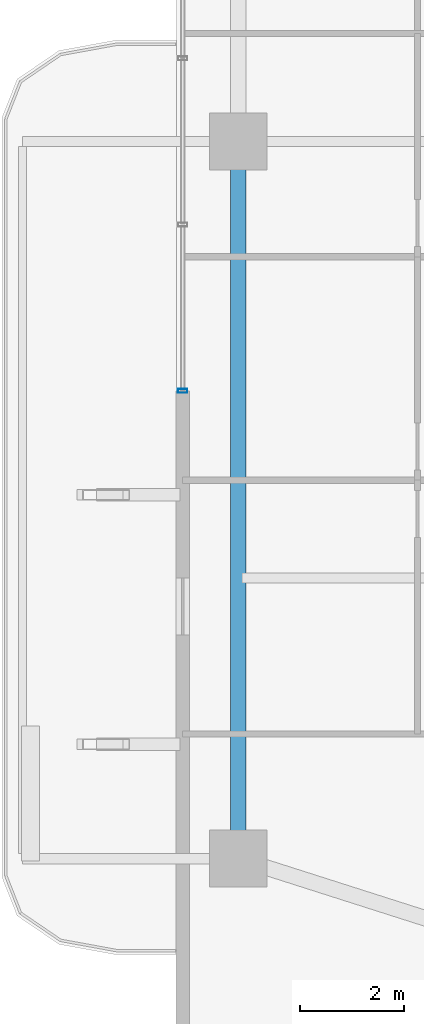
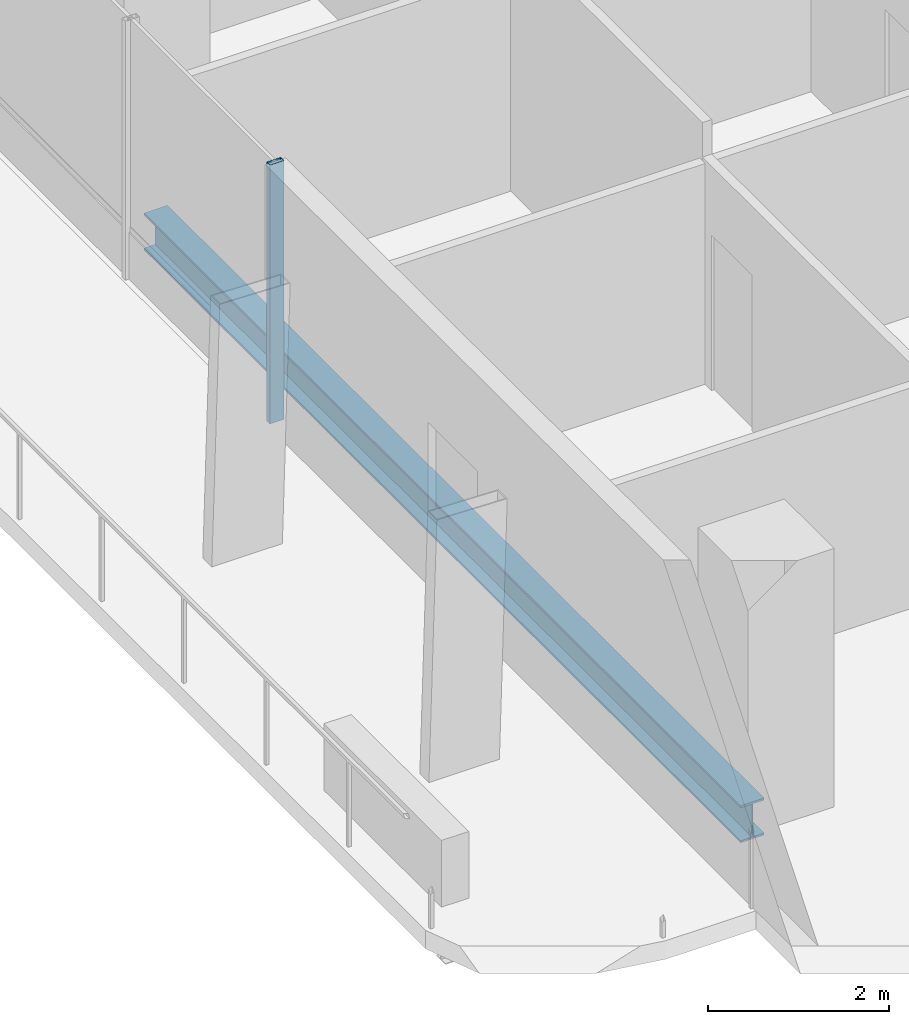
# One storey, part 4 of 25: 1 beam, 1 member, 1 element without a shape of its own.
"""IFC4 building model written with IfcOpenShell, lengths in metres."""

from ifc_helpers import new_model, si_unit, direction, frame, origin, origin_2d, place, context, subcontext, project, spatial, hollow_rectangle, i_section, extrude, material, layer, layer_set, material_profile, profile_set, type_object, element, aggregate, save


model = new_model("IFC4")

# Units and contexts
model_context = context("Model", 3, precision=1e-05, world=origin(), true_north=direction((0.0, 1.0)))
body_context = subcontext(model_context, "Body", "Model", "MODEL_VIEW")
ifc_project = project(units=[si_unit("LENGTHUNIT", "METRE"), si_unit("AREAUNIT", "SQUARE_METRE"), si_unit("VOLUMEUNIT", "CUBIC_METRE"), si_unit("PLANEANGLEUNIT", "RADIAN"), si_unit("MASSUNIT", "GRAM", prefix="KILO")], contexts=[model_context])

# Site, building, storey
site_placement = place(None, origin())
site = spatial("IfcSite", under=ifc_project, at=site_placement, CompositionType="ELEMENT")
building_placement = place(site_placement, origin())
building = spatial("IfcBuilding", under=site, at=building_placement, Name="Belovzor Exchange Tower", CompositionType="ELEMENT")
storey_placement = place(building_placement, frame((0.0, 0.0, 153.300048828125)))
storey = spatial("IfcBuildingStorey", under=building, at=storey_placement, Name="L37", CompositionType="ELEMENT", Elevation=153.300048828125)

# Curtain wall, member
ifc_material_1 = material(Name="Anodised Aluminium Framing", Category="aluminium")
ifc_layer = layer(ifc_material_1, 0.179931640625)
ifc_layer_set = layer_set([ifc_layer], Name="Anodised Aluminium Framing")
curtain_wall_type = type_object("IfcCurtainWallType", Name="Recessed Loggia Low-Iron Triple-Glazed Curtain Wall", PredefinedType="NOTDEFINED", material=ifc_layer_set)
curtain_wall_placement = place(storey_placement, origin())
curtain_wall = element("IfcCurtainWall", 1, at=curtain_wall_placement, inside=storey, type_object=curtain_wall_type, Name="CW3 Recessed Loggia Low-Iron Triple-Glazed Curtain Wall L37", PredefinedType="NOTDEFINED")
ifc_material_2 = material(Name="Steel S355", Category="steel")
ifc_material_profile_1 = material_profile(ifc_material_2, hollow_rectangle(XDim=0.074951171875, YDim=0.179931640625, WallThickness=0.0048828125, at=origin_2d()))
ifc_profile_set_1 = profile_set([ifc_material_profile_1], Name="Steel S355")
member_type = type_object("IfcMemberType", Name="Thermally Broken Curtain Wall Mullion 180x75", PredefinedType="MULLION", material=ifc_profile_set_1)
member_placement = place(storey_placement, frame((4.6298828125, 24.0, 0.0), z_axis=(0.0, 0.0, 1.0), x_axis=(0.0, 1.0, 0.0)))
member = element("IfcMember", 2, at=member_placement, type_object=member_type, Name="CW-M180 Curtain Wall Mullion 1", PredefinedType="MULLION", context=body_context, shape_type="SweptSolid", body=[
    extrude(hollow_rectangle(XDim=0.074951171875, YDim=0.179931640625, WallThickness=0.0048828125, at=origin_2d()), origin(), (0.0, 0.0, 1.0), 3.494873046875),
])
aggregate(curtain_wall, [member])

# Beam
ifc_material_3 = material(Name="Steel S355", Category="steel")
ifc_material_profile_2 = material_profile(ifc_material_3, i_section(OverallWidth=0.300048828125, OverallDepth=0.5, WebThickness=0.014404296875, FlangeThickness=0.028076171875, at=origin_2d()))
ifc_profile_set_2 = profile_set([ifc_material_profile_2], Name="Steel S355")
beam_type = type_object("IfcBeamType", Name="Zone 3 Waist Primary Girder HEB 500", PredefinedType="BEAM", material=ifc_profile_set_2)
beam_placement = place(storey_placement, frame((5.699951171875, 28.498046875, -0.505126953125), z_axis=(0.0, -1.0, 0.0), x_axis=(1.0, 0.0, 0.0)))
element("IfcBeam", 3, at=beam_placement, inside=storey, type_object=beam_type, Name="FG-Z3 Zone 3 Waist Primary Girder HEB 500", PredefinedType="BEAM", context=body_context, shape_type="SweptSolid", body=[
    extrude(i_section(OverallWidth=0.300048828125, OverallDepth=0.5, WebThickness=0.014404296875, FlangeThickness=0.028076171875, at=origin_2d()), origin(), (0.0, 0.0, 1.0), 13.195068359375),
])

save(model, "model.ifc")
